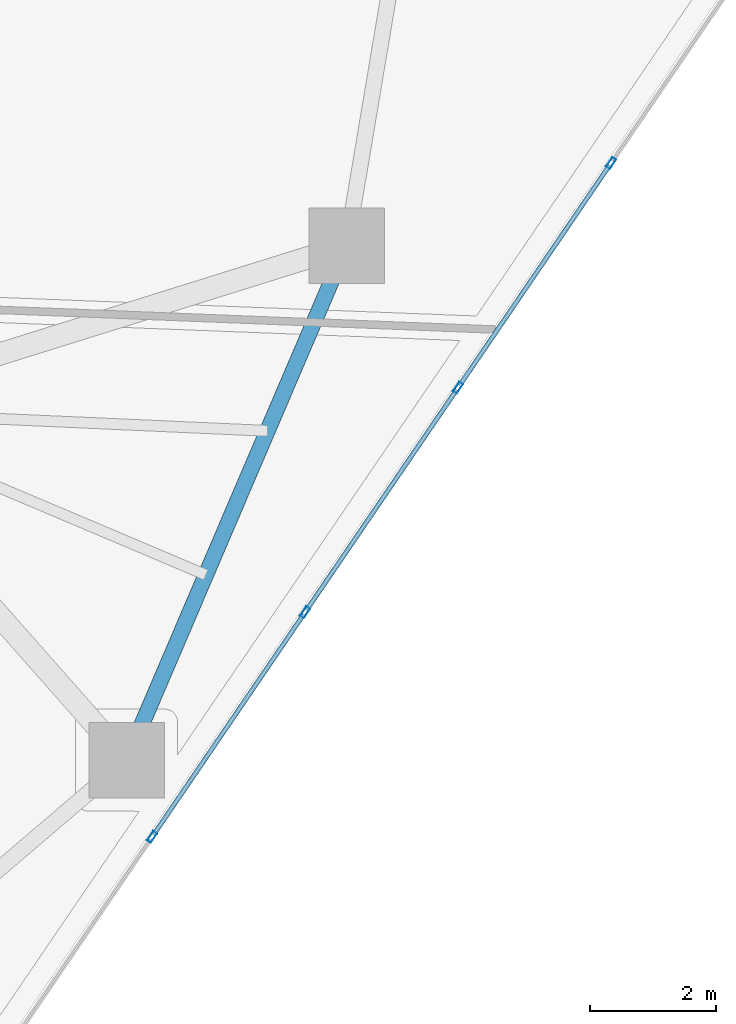
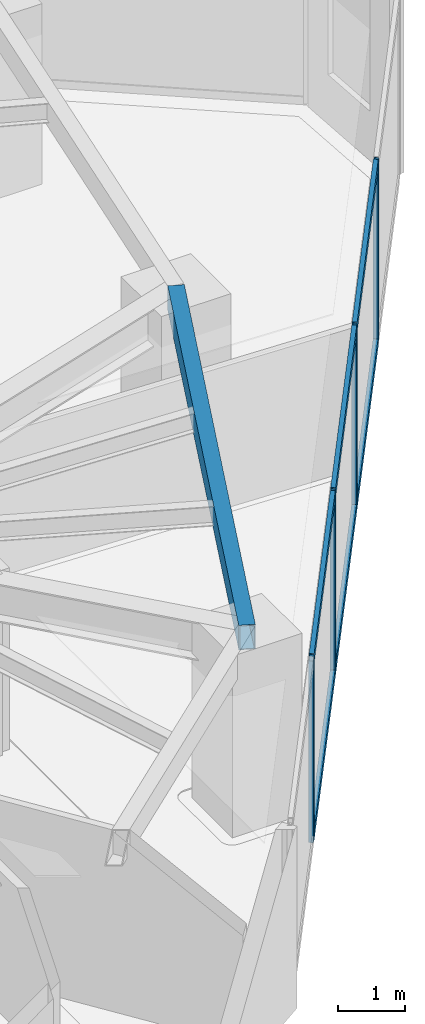
# One storey, part 11 of 22: 10 members, 1 beam, 1 element without a shape of its own.
"""IFC4 building model written with IfcOpenShell, lengths in metres."""

from ifc_helpers import new_model, si_unit, direction, frame, origin, origin_2d, place, context, subcontext, project, spatial, hollow_rectangle, extrude, source, transform, mapped, material, layer, layer_set, material_profile, profile_set, type_object, type_shapes, element, aggregate, save


model = new_model("IFC4")

# Units and contexts
model_context = context("Model", 3, precision=1e-05, world=origin(), true_north=direction((0.0, 1.0)))
body_context = subcontext(model_context, "Body", "Model", "MODEL_VIEW")
ifc_project = project(units=[si_unit("LENGTHUNIT", "METRE"), si_unit("AREAUNIT", "SQUARE_METRE"), si_unit("VOLUMEUNIT", "CUBIC_METRE"), si_unit("PLANEANGLEUNIT", "RADIAN"), si_unit("MASSUNIT", "GRAM", prefix="KILO")], contexts=[model_context])

# Site, building, storey
site_placement = place(None, origin())
site = spatial("IfcSite", under=ifc_project, at=site_placement, CompositionType="ELEMENT")
building_placement = place(site_placement, origin())
building = spatial("IfcBuilding", under=site, at=building_placement, Name="Talar Marvaseh", CompositionType="ELEMENT")
storey_placement = place(building_placement, frame((0.0, 0.0, 125.39990234375)))
storey = spatial("IfcBuildingStorey", under=building, at=storey_placement, Name="L32", CompositionType="ELEMENT", Elevation=125.39990234375)

# Beam
ifc_material_1 = material(Name="Steel S355", Category="steel")
ifc_material_profile_1 = material_profile(ifc_material_1, hollow_rectangle(XDim=0.25, YDim=0.449951171875, WallThickness=0.01611328125, at=origin_2d()), Name="RHS450x250x16")
ifc_profile_set_1 = profile_set([ifc_material_profile_1], Name="Steel S355")
beam_type = type_object("IfcBeamType", Name="Zone 2 Perimeter Spandrel Beam RHS450x250x16", PredefinedType="SPANDREL", material=ifc_profile_set_1)
beam_placement = place(storey_placement, frame((41.708984375, 28.1279296875, 3.085205078125), z_axis=(-0.393369955619, -0.919380268451, 0.0), x_axis=(0.919380268451, -0.393369955619, 0.0)))
element("IfcBeam", 1, at=beam_placement, inside=storey, type_object=beam_type, Name="L32 Zone 2 Perimeter Spandrel Beam RHS450x250x16", PredefinedType="SPANDREL", context=body_context, shape_type="SweptSolid", body=[
    extrude(hollow_rectangle(XDim=0.25, YDim=0.449951171875, WallThickness=0.01611328125, at=origin_2d()), origin(), (0.0, 0.0, 1.0), 8.905029296875),
])

# Curtain wall, members
ifc_material_2 = material(Name="Architectural Aluminium", Category="aluminium")
ifc_layer = layer(ifc_material_2, 0.199951171875)
ifc_layer_set = layer_set([ifc_layer], Name="Architectural Aluminium")
curtain_wall_type = type_object("IfcCurtainWallType", Name="Unitised Acoustic Library Curtain Wall Z2", PredefinedType="NOTDEFINED", material=ifc_layer_set)
curtain_wall_placement = place(storey_placement, origin())
curtain_wall = element("IfcCurtainWall", 2, at=curtain_wall_placement, inside=storey, type_object=curtain_wall_type, Name="L32 Unitised Acoustic Library Curtain Wall Z2", PredefinedType="NOTDEFINED")
ifc_material_profile_2 = material_profile(ifc_material_2, hollow_rectangle(XDim=0.074951171875, YDim=0.179931640625, WallThickness=0.0048828125, at=origin_2d()), Name="RHS180x75x5")
ifc_profile_set_2 = profile_set([ifc_material_profile_2], Name="Architectural Aluminium")
member_type_1 = type_object("IfcMemberType", Name="Unitised Curtain Wall Standard Mullion RHS180x75x5", PredefinedType="MULLION", material=ifc_profile_set_2)
shared_shape_1 = source(origin(), body_context, "Body", "SweptSolid", [
    extrude(hollow_rectangle(XDim=0.074951171875, YDim=0.179931640625, WallThickness=0.0048828125, at=origin_2d()), origin(), (0.0, 0.0, 1.0), 3.31005859375),
])
type_shapes(member_type_1, [shared_shape_1])
member_1_placement = place(storey_placement, frame((45.9140625, 29.4404296875, 0.0), z_axis=(0.0, 0.0, 1.0), x_axis=(0.826503816633, -0.562931115761, 0.0)))
member_1 = element("IfcMember", 3, at=member_1_placement, type_object=member_type_1, Name="CW-Z2 mullion 2", PredefinedType="MULLION", context=body_context, shape_type="MappedRepresentation", body=[
    mapped(shared_shape_1, transform((0.0, 0.0, 0.0), x_axis=(1.0, 0.0, 0.0), y_axis=(0.0, 1.0, 0.0), z_axis=(0.0, 0.0, 1.0), scale=1.0)),
])
member_2_placement = place(storey_placement, frame((43.480224609375, 25.866943359375, 0.0), z_axis=(0.0, 0.0, 1.0), x_axis=(0.826503816633, -0.562931115761, 0.0)))
member_2 = element("IfcMember", 4, at=member_2_placement, type_object=member_type_1, Name="CW-Z2 mullion 3", PredefinedType="MULLION", context=body_context, shape_type="MappedRepresentation", body=[
    mapped(shared_shape_1, transform((0.0, 0.0, 0.0), x_axis=(1.0, 0.0, 0.0), y_axis=(0.0, 1.0, 0.0), z_axis=(0.0, 0.0, 1.0), scale=1.0)),
])
member_3_placement = place(storey_placement, frame((41.04638671875, 22.293701171875, 0.0), z_axis=(0.0, 0.0, 1.0), x_axis=(0.826503816633, -0.562931115761, 0.0)))
member_3 = element("IfcMember", 5, at=member_3_placement, type_object=member_type_1, Name="CW-Z2 mullion 4", PredefinedType="MULLION", context=body_context, shape_type="MappedRepresentation", body=[
    mapped(shared_shape_1, transform((0.0, 0.0, 0.0), x_axis=(1.0, 0.0, 0.0), y_axis=(0.0, 1.0, 0.0), z_axis=(0.0, 0.0, 1.0), scale=1.0)),
])
member_4_placement = place(storey_placement, frame((38.612548828125, 18.72021484375, 0.0), z_axis=(0.0, 0.0, 1.0), x_axis=(0.826503816633, -0.562931115761, 0.0)))
member_4 = element("IfcMember", 6, at=member_4_placement, type_object=member_type_1, Name="CW-Z2 mullion 5", PredefinedType="MULLION", context=body_context, shape_type="MappedRepresentation", body=[
    mapped(shared_shape_1, transform((0.0, 0.0, 0.0), x_axis=(1.0, 0.0, 0.0), y_axis=(0.0, 1.0, 0.0), z_axis=(0.0, 0.0, 1.0), scale=1.0)),
])
ifc_material_profile_3 = material_profile(ifc_material_2, hollow_rectangle(XDim=0.074951171875, YDim=0.179931640625, WallThickness=0.0048828125, at=origin_2d()), Name="RHS180x75x5")
ifc_profile_set_3 = profile_set([ifc_material_profile_3], Name="Architectural Aluminium")
member_type_2 = type_object("IfcMemberType", Name="Unitised Curtain Wall Transom RHS180x75x5", PredefinedType="USERDEFINED", material=ifc_profile_set_3)
shared_shape_2 = source(origin(), body_context, "Body", "SweptSolid", [
    extrude(hollow_rectangle(XDim=0.074951171875, YDim=0.179931640625, WallThickness=0.0048828125, at=origin_2d()), origin(), (0.0, 0.0, 1.0), 4.24853515625),
])
member_5_placement = place(storey_placement, frame((45.892822265625, 29.409423828125, 0.03759765625), z_axis=(-0.562921291462, -0.82651050787, 0.0), x_axis=(0.82651050787, -0.562921291462, 0.0)))
member_5 = element("IfcMember", 7, at=member_5_placement, type_object=member_type_2, Name="CW-Z2 transom 2.1", ObjectType="TRANSOM", PredefinedType="USERDEFINED", context=body_context, shape_type="MappedRepresentation", body=[
    mapped(shared_shape_2, transform((0.0, 0.0, 0.0), x_axis=(1.0, 0.0, 0.0), y_axis=(0.0, 1.0, 0.0), z_axis=(0.0, 0.0, 1.0), scale=1.0)),
])
member_6_placement = place(storey_placement, frame((45.892822265625, 29.409423828125, 3.272705078125), z_axis=(-0.562921291462, -0.82651050787, 0.0), x_axis=(0.82651050787, -0.562921291462, 0.0)))
member_6 = element("IfcMember", 8, at=member_6_placement, type_object=member_type_2, Name="CW-Z2 transom 2.2", ObjectType="TRANSOM", PredefinedType="USERDEFINED", context=body_context, shape_type="MappedRepresentation", body=[
    mapped(shared_shape_2, transform((0.0, 0.0, 0.0), x_axis=(1.0, 0.0, 0.0), y_axis=(0.0, 1.0, 0.0), z_axis=(0.0, 0.0, 1.0), scale=1.0)),
])
member_7_placement = place(storey_placement, frame((41.025146484375, 22.2626953125, 0.03759765625), z_axis=(-0.562921291462, -0.82651050787, 0.0), x_axis=(0.82651050787, -0.562921291462, 0.0)))
member_7 = element("IfcMember", 9, at=member_7_placement, type_object=member_type_2, Name="CW-Z2 transom 4.1", ObjectType="TRANSOM", PredefinedType="USERDEFINED", context=body_context, shape_type="MappedRepresentation", body=[
    mapped(shared_shape_2, transform((0.0, 0.0, 0.0), x_axis=(1.0, 0.0, 0.0), y_axis=(0.0, 1.0, 0.0), z_axis=(0.0, 0.0, 1.0), scale=1.0)),
])
member_8_placement = place(storey_placement, frame((41.025146484375, 22.2626953125, 3.272705078125), z_axis=(-0.562921291462, -0.82651050787, 0.0), x_axis=(0.82651050787, -0.562921291462, 0.0)))
member_8 = element("IfcMember", 10, at=member_8_placement, type_object=member_type_2, Name="CW-Z2 transom 4.2", ObjectType="TRANSOM", PredefinedType="USERDEFINED", context=body_context, shape_type="MappedRepresentation", body=[
    mapped(shared_shape_2, transform((0.0, 0.0, 0.0), x_axis=(1.0, 0.0, 0.0), y_axis=(0.0, 1.0, 0.0), z_axis=(0.0, 0.0, 1.0), scale=1.0)),
])
shared_shape_3 = source(origin(), body_context, "Body", "SweptSolid", [
    extrude(hollow_rectangle(XDim=0.074951171875, YDim=0.179931640625, WallThickness=0.0048828125, at=origin_2d()), origin(), (0.0, 0.0, 1.0), 4.248291015625),
])
type_shapes(member_type_2, [shared_shape_2, shared_shape_3])
member_9_placement = place(storey_placement, frame((43.458984375, 25.8359375, 0.03759765625), z_axis=(-0.562948028346, -0.826492297231, 0.0), x_axis=(0.826492297231, -0.562948028346, 0.0)))
member_9 = element("IfcMember", 11, at=member_9_placement, type_object=member_type_2, Name="CW-Z2 transom 3.1", ObjectType="TRANSOM", PredefinedType="USERDEFINED", context=body_context, shape_type="MappedRepresentation", body=[
    mapped(shared_shape_3, transform((0.0, 0.0, 0.0), x_axis=(1.0, 0.0, 0.0), y_axis=(0.0, 1.0, 0.0), z_axis=(0.0, 0.0, 1.0), scale=1.0)),
])
member_10_placement = place(storey_placement, frame((43.458984375, 25.8359375, 3.272705078125), z_axis=(-0.562948028346, -0.826492297231, 0.0), x_axis=(0.826492297231, -0.562948028346, 0.0)))
member_10 = element("IfcMember", 12, at=member_10_placement, type_object=member_type_2, Name="CW-Z2 transom 3.2", ObjectType="TRANSOM", PredefinedType="USERDEFINED", context=body_context, shape_type="MappedRepresentation", body=[
    mapped(shared_shape_3, transform((0.0, 0.0, 0.0), x_axis=(1.0, 0.0, 0.0), y_axis=(0.0, 1.0, 0.0), z_axis=(0.0, 0.0, 1.0), scale=1.0)),
])
aggregate(curtain_wall, [member_1, member_2, member_3, member_4, member_5, member_6, member_9, member_10, member_7, member_8])

save(model, "model.ifc")
